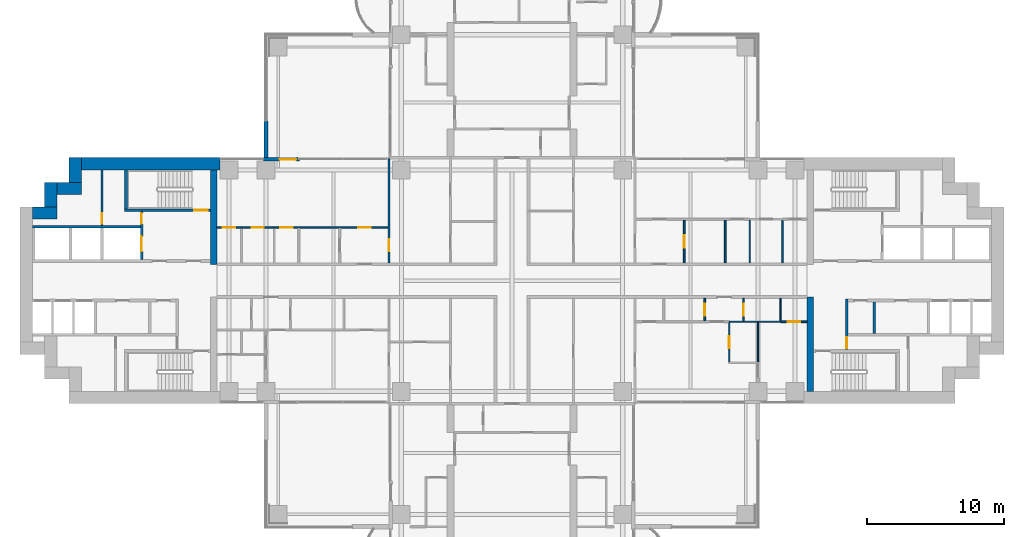
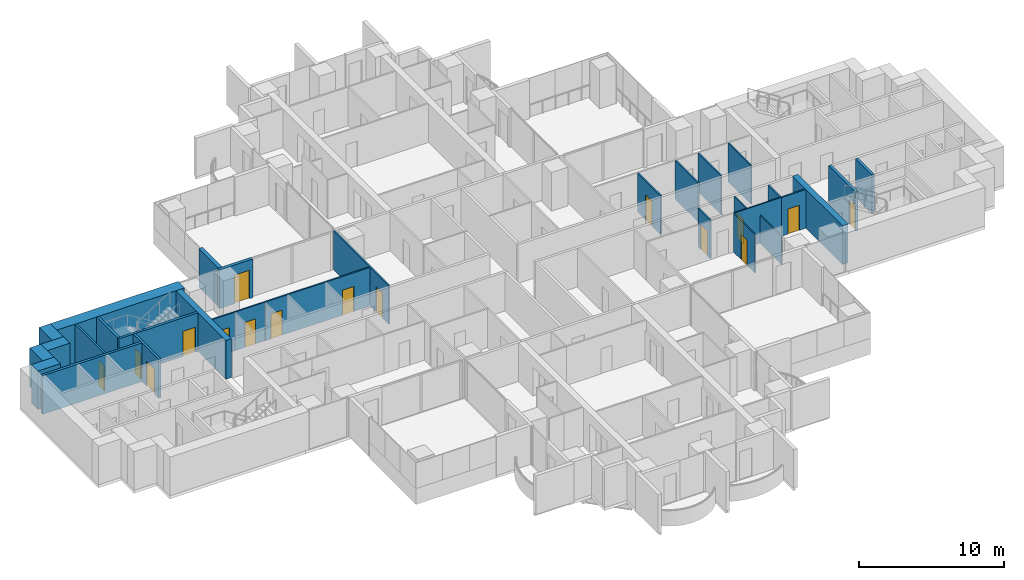
# One storey, part 13 of 21: 31 walls, 16 doors, 16 openings.
"""IFC4 building model written with IfcOpenShell, lengths in metres."""

from ifc_helpers import new_model, si_unit, direction, frame, frame_2d, origin, place, context, subcontext, project, spatial, rectangle, extrude, material, layer, layer_set, type_object, element, fill, save


model = new_model("IFC4")

# Units and contexts
model_context = context("Model", 3, precision=1e-05, world=origin(), true_north=direction((0.0, 1.0)))
body_context = subcontext(model_context, "Body", "Model", "MODEL_VIEW")
ifc_project = project(units=[si_unit("LENGTHUNIT", "METRE"), si_unit("AREAUNIT", "SQUARE_METRE"), si_unit("VOLUMEUNIT", "CUBIC_METRE"), si_unit("PLANEANGLEUNIT", "RADIAN"), si_unit("MASSUNIT", "GRAM", prefix="KILO")], contexts=[model_context])

# Site, building, storey
site_placement = place(None, origin())
site = spatial("IfcSite", under=ifc_project, at=site_placement, CompositionType="ELEMENT")
building_placement = place(site_placement, origin())
building = spatial("IfcBuilding", under=site, at=building_placement, Name="Perihelion Cross Residences", CompositionType="ELEMENT")
storey_placement = place(building_placement, frame((0.0, 0.0, 64.5)))
storey = spatial("IfcBuildingStorey", under=building, at=storey_placement, Name="L13", CompositionType="ELEMENT", Elevation=64.5)

# Wall, opening, door
ifc_material_1 = material(Name="Concrete C30/37, bronze-clad", Category="concrete")
ifc_layer_1 = layer(ifc_material_1, 0.25)
ifc_layer_set_1 = layer_set([ifc_layer_1], Name="Bronze-clad pier wall 250")
wall_type_1 = type_object("IfcWallType", Name="Bronze-clad pier wall 250", PredefinedType="SOLIDWALL", material=ifc_layer_set_1)
wall_1_placement = place(storey_placement, frame((-15.550048828125, 8.875, 0.0), z_axis=(0.0, 0.0, 1.0), x_axis=(-1.0, 0.0, 0.0)))
wall_1 = element("IfcWall", 1, at=wall_1_placement, inside=storey, type_object=wall_type_1, Name="Wall FW1 L13 west side north bay 1 pier", PredefinedType="SOLIDWALL", context=body_context, shape_type="SweptSolid", body=[
    extrude(rectangle(XDim=2.64990234375, YDim=0.25, at=frame_2d((1.324951171875, 0.0))), origin(), (0.0, 0.0, 1.0), 3.25),
])
opening_1_placement = place(wall_1_placement, frame((0.25, 0.0, 0.0)))
opening_1 = element("IfcOpeningElement", 2, at=opening_1_placement, cuts=wall_1, Name="Opening L13.E08", PredefinedType="OPENING", context=body_context, shape_type="SweptSolid", body=[
    extrude(rectangle(XDim=1.199951171875, YDim=2.39990234375, at=frame_2d((0.60009765625, 1.199951171875))), frame((0.0, 0.135009765625, 0.0), z_axis=(0.0, -1.0, 0.0), x_axis=(1.0, 0.0, 0.0)), (0.0, 0.0, 1.0), 0.27001953125),
])
ifc_material_2 = material(Name="Bronze anodised aluminium, glazed", Category="aluminium")
door_type_1 = type_object("IfcDoorType", Name="Balcony door 1200 x 2400", OperationType="NOTDEFINED", PredefinedType="DOOR", material=ifc_material_2)
door_1_placement = place(opening_1_placement, origin())
door_1 = element("IfcDoor", 3, at=door_1_placement, inside=storey, type_object=door_type_1, Name="Door L13.E08 west side north bay 1", OperationType="SINGLE_SWING_LEFT", OverallHeight=2.39990234375, OverallWidth=1.199951171875, PredefinedType="DOOR", context=body_context, shape_type="SweptSolid", body=[
    extrude(rectangle(XDim=1.199951171875, YDim=2.39990234375, at=frame_2d((0.60009765625, 1.199951171875))), frame((0.0, 0.02490234375, 0.0), z_axis=(0.0, -1.0, 0.0), x_axis=(1.0, 0.0, 0.0)), (0.0, 0.0, 1.0), 0.050048828125),
])
fill(opening_1, door_1)

# Walls
ifc_material_3 = material(Name="Concrete C60/75", Category="concrete")
ifc_layer_2 = layer(ifc_material_3, 0.449951171875)
ifc_layer_set_2 = layer_set([ifc_layer_2], Name="Core wall, inner 450")
wall_type_2 = type_object("IfcWallType", Name="Core wall, inner 450", PredefinedType="SHEAR", material=ifc_layer_set_2)
for number, where, z_axis, x_axis, name in (
    (4, (21.824951171875, -8.10009765625, 0.0), (0.0, 0.0, 1.0), (0.0, 1.0, 0.0), "East core core wall, inner"),
    (5, (-21.824951171875, 1.199951171875, 0.0), (0.0, 0.0, 1.0), (0.0, 1.0, 0.0), "West core core wall, inner"),
):
    element("IfcWall", number, at=place(storey_placement, frame(where, z_axis=z_axis, x_axis=x_axis)), inside=storey, type_object=wall_type_2, Name=name, PredefinedType="SHEAR", context=body_context, shape_type="SweptSolid", body=[
        extrude(rectangle(XDim=6.900146484375, YDim=0.449951171875, at=frame_2d((3.4501953125, 0.0))), origin(), (0.0, 0.0, 1.0), 3.25),
    ])
ifc_material_4 = material(Name="Concrete C60/75", Category="concrete")
ifc_layer_3 = layer(ifc_material_4, 0.89990234375)
ifc_layer_set_3 = layer_set([ifc_layer_3], Name="Core wall, outer 900")
wall_type_3 = type_object("IfcWallType", Name="Core wall, outer 900", PredefinedType="SHEAR", material=ifc_layer_set_3)
for number, where, z_axis, x_axis, name in (
    (6, (-35.10009765625, 4.949951171875, 0.0), (0.0, 0.0, 1.0), (1.0, 0.0, 0.0), "West core core wall, outer"),
    (7, (-33.75, 5.39990234375, 0.0), (0.0, 0.0, 1.0), (0.0, 1.0, 0.0), "West core core wall, outer"),
    (8, (-33.300048828125, 6.75, 0.0), (0.0, 0.0, 1.0), (1.0, 0.0, 0.0), "West core core wall, outer"),
    (9, (-31.949951171875, 7.199951171875, 0.0), (0.0, 0.0, 1.0), (0.0, 1.0, 0.0), "West core core wall, outer"),
):
    element("IfcWall", number, at=place(storey_placement, frame(where, z_axis=z_axis, x_axis=x_axis)), inside=storey, type_object=wall_type_3, Name=name, PredefinedType="SHEAR", context=body_context, shape_type="SweptSolid", body=[
        extrude(rectangle(XDim=1.800048828125, YDim=0.89990234375, at=frame_2d((0.89990234375, 0.0))), origin(), (0.0, 0.0, 1.0), 3.25),
    ])
wall_2_placement = place(storey_placement, frame((-31.5, 8.550048828125, 0.0), z_axis=(0.0, 0.0, 1.0), x_axis=(1.0, 0.0, 0.0)))
element("IfcWall", 10, at=wall_2_placement, inside=storey, type_object=wall_type_3, Name="West core core wall, outer", PredefinedType="SHEAR", context=body_context, shape_type="SweptSolid", body=[
    extrude(rectangle(XDim=10.14990234375, YDim=0.89990234375, at=frame_2d((5.074951171875, 0.0))), origin(), (0.0, 0.0, 1.0), 3.25),
])

# Wall, opening, door
ifc_material_5 = material(Name="Concrete C50/60", Category="concrete")
ifc_layer_4 = layer(ifc_material_5, 0.199951171875)
ifc_layer_set_4 = layer_set([ifc_layer_4], Name="Lobby wall 200")
wall_type_4 = type_object("IfcWallType", Name="Lobby wall 200", PredefinedType="SOLIDWALL", material=ifc_layer_set_4)
wall_3_placement = place(storey_placement, frame((24.5, -5.050048828125, 0.0), z_axis=(0.0, 0.0, 1.0), x_axis=(0.0, 1.0, 0.0)))
wall_3 = element("IfcWall", 11, at=wall_3_placement, inside=storey, type_object=wall_type_4, Name="East core lobby wall", PredefinedType="SOLIDWALL", context=body_context, shape_type="SweptSolid", body=[
    extrude(rectangle(XDim=3.699951171875, YDim=0.199951171875, at=frame_2d((1.85009765625, 0.0))), origin(), (0.0, 0.0, 1.0), 3.25),
])
opening_2_placement = place(wall_3_placement, frame((0.10009765625, 0.0, 0.0)))
opening_2 = element("IfcOpeningElement", 12, at=opening_2_placement, cuts=wall_3, Name="Opening L13.C08", PredefinedType="OPENING", context=body_context, shape_type="SweptSolid", body=[
    extrude(rectangle(XDim=0.800048828125, YDim=2.10009765625, at=frame_2d((0.39990234375, 1.050048828125))), frame((0.0, 0.10986328125, 0.0), z_axis=(0.0, -1.0, 0.0), x_axis=(1.0, 0.0, 0.0)), (0.0, 0.0, 1.0), 0.219970703125),
])
ifc_material_6 = material(Name="Steel, powder coated", Category="steel")
door_type_2 = type_object("IfcDoorType", Name="Riser door 800", OperationType="SINGLE_SWING_LEFT", PredefinedType="DOOR", material=ifc_material_6)
door_2_placement = place(opening_2_placement, origin())
door_2 = element("IfcDoor", 13, at=door_2_placement, inside=storey, type_object=door_type_2, Name="East core riser door", OperationType="SINGLE_SWING_LEFT", OverallHeight=2.10009765625, OverallWidth=0.800048828125, PredefinedType="DOOR", context=body_context, shape_type="SweptSolid", body=[
    extrude(rectangle(XDim=0.800048828125, YDim=2.10009765625, at=frame_2d((0.39990234375, 1.050048828125))), frame((0.0, 0.02490234375, 0.0), z_axis=(0.0, -1.0, 0.0), x_axis=(1.0, 0.0, 0.0)), (0.0, 0.0, 1.0), 0.050048828125),
])
fill(opening_2, door_2)

ifc_material_7 = material(Name="Plasterboard partition")
ifc_layer_5 = layer(ifc_material_7, 0.1201171875)
ifc_layer_set_5 = layer_set([ifc_layer_5], Name="Partition wall 120")
wall_type_5 = type_object("IfcWallType", Name="Partition wall 120", PredefinedType="PARTITIONING", material=ifc_layer_set_5)
wall_4_placement = place(storey_placement, frame((12.60009765625, 4.43994140625, 0.0), z_axis=(0.0, 0.0, 1.0), x_axis=(0.0, -1.0, 0.0)))
wall_4 = element("IfcWall", 14, at=wall_4_placement, inside=storey, type_object=wall_type_5, Name="Partition L13 W011", PredefinedType="PARTITIONING", context=body_context, shape_type="SweptSolid", body=[
    extrude(rectangle(XDim=3.139892578125, YDim=0.1201171875, at=frame_2d((1.56982421875, 0.0))), origin(), (0.0, 0.0, 1.0), 3.25),
])
opening_3_placement = place(wall_4_placement, frame((1.1201171875, 0.0, 0.0)))
opening_3 = element("IfcOpeningElement", 15, at=opening_3_placement, cuts=wall_4, Name="Opening L13.A05", PredefinedType="OPENING", context=body_context, shape_type="SweptSolid", body=[
    extrude(rectangle(XDim=0.89990234375, YDim=2.10009765625, at=frame_2d((0.449951171875, 1.050048828125))), frame((0.0, 0.070068359375, 0.0), z_axis=(0.0, -1.0, 0.0), x_axis=(1.0, 0.0, 0.0)), (0.0, 0.0, 1.0), 0.14013671875),
])
ifc_material_8 = material(Name="Timber door leaf", Category="wood")
door_type_3 = type_object("IfcDoorType", Name="Interior room door 900 x 2100", OperationType="SINGLE_SWING_LEFT", PredefinedType="DOOR", material=ifc_material_8)
door_3_placement = place(opening_3_placement, origin())
door_3 = element("IfcDoor", 16, at=door_3_placement, inside=storey, type_object=door_type_3, Name="Door L13.A05", OperationType="SINGLE_SWING_LEFT", OverallHeight=2.10009765625, OverallWidth=0.89990234375, PredefinedType="DOOR", context=body_context, shape_type="SweptSolid", body=[
    extrude(rectangle(XDim=0.89990234375, YDim=2.10009765625, at=frame_2d((0.449951171875, 1.050048828125))), frame((0.0, 0.02490234375, 0.0), z_axis=(0.0, -1.0, 0.0), x_axis=(1.0, 0.0, 0.0)), (0.0, 0.0, 1.0), 0.050048828125),
])
fill(opening_3, door_3)

# Wall
wall_5_placement = place(storey_placement, frame((15.60009765625, 4.43994140625, 0.0), z_axis=(0.0, 0.0, 1.0), x_axis=(0.0, -1.0, 0.0)))
element("IfcWall", 17, at=wall_5_placement, inside=storey, type_object=wall_type_5, Name="Partition L13 W014", PredefinedType="PARTITIONING", context=body_context, shape_type="SweptSolid", body=[
    extrude(rectangle(XDim=3.139892578125, YDim=0.1201171875, at=frame_2d((1.56982421875, 0.0))), origin(), (0.0, 0.0, 1.0), 3.25),
])

# Wall, opening, door
wall_6_placement = place(storey_placement, frame((14.10009765625, -1.300048828125, 0.0), z_axis=(0.0, 0.0, 1.0), x_axis=(0.0, -1.0, 0.0)))
wall_6 = element("IfcWall", 18, at=wall_6_placement, inside=storey, type_object=wall_type_5, Name="Partition L13 W025", PredefinedType="PARTITIONING", context=body_context, shape_type="SweptSolid", body=[
    extrude(rectangle(XDim=1.639892578125, YDim=0.1201171875, at=frame_2d((0.81982421875, 0.0))), origin(), (0.0, 0.0, 1.0), 3.25),
])
opening_4_placement = place(wall_6_placement, frame((0.3701171875, 0.0, 0.0)))
opening_4 = element("IfcOpeningElement", 19, at=opening_4_placement, cuts=wall_6, Name="Opening L13.A11", PredefinedType="OPENING", context=body_context, shape_type="SweptSolid", body=[
    extrude(rectangle(XDim=0.89990234375, YDim=2.10009765625, at=frame_2d((0.449951171875, 1.050048828125))), frame((0.0, 0.070068359375, 0.0), z_axis=(0.0, -1.0, 0.0), x_axis=(1.0, 0.0, 0.0)), (0.0, 0.0, 1.0), 0.14013671875),
])
door_4_placement = place(opening_4_placement, origin())
door_4 = element("IfcDoor", 20, at=door_4_placement, inside=storey, type_object=door_type_3, Name="Door L13.A11", OperationType="SINGLE_SWING_RIGHT", OverallHeight=2.10009765625, OverallWidth=0.89990234375, PredefinedType="DOOR", context=body_context, shape_type="SweptSolid", body=[
    extrude(rectangle(XDim=0.89990234375, YDim=2.10009765625, at=frame_2d((0.449951171875, 1.050048828125))), frame((0.0, 0.02490234375, 0.0), z_axis=(0.0, -1.0, 0.0), x_axis=(1.0, 0.0, 0.0)), (0.0, 0.0, 1.0), 0.050048828125),
])
fill(opening_4, door_4)

wall_7_placement = place(storey_placement, frame((21.60009765625, -3.0, 0.0), z_axis=(0.0, 0.0, 1.0), x_axis=(-1.0, 0.0, 0.0)))
wall_7 = element("IfcWall", 21, at=wall_7_placement, inside=storey, type_object=wall_type_5, Name="Partition L13 W029", PredefinedType="PARTITIONING", context=body_context, shape_type="SweptSolid", body=[
    extrude(rectangle(XDim=1.9501953125, YDim=0.1201171875, at=frame_2d((0.97509765625, 0.0))), origin(), (0.0, 0.0, 1.0), 3.25),
])
opening_5_placement = place(wall_7_placement, frame((0.52490234375, 0.0, 0.0)))
opening_5 = element("IfcOpeningElement", 22, at=opening_5_placement, cuts=wall_7, Name="Opening L13.A17", PredefinedType="OPENING", context=body_context, shape_type="SweptSolid", body=[
    extrude(rectangle(XDim=0.89990234375, YDim=2.10009765625, at=frame_2d((0.449951171875, 1.050048828125))), frame((0.0, 0.070068359375, 0.0), z_axis=(0.0, -1.0, 0.0), x_axis=(1.0, 0.0, 0.0)), (0.0, 0.0, 1.0), 0.14013671875),
])
door_5_placement = place(opening_5_placement, origin())
door_5 = element("IfcDoor", 23, at=door_5_placement, inside=storey, type_object=door_type_3, Name="Door L13.A17", OperationType="SINGLE_SWING_RIGHT", OverallHeight=2.10009765625, OverallWidth=0.89990234375, PredefinedType="DOOR", context=body_context, shape_type="SweptSolid", body=[
    extrude(rectangle(XDim=0.89990234375, YDim=2.10009765625, at=frame_2d((0.449951171875, 1.050048828125))), frame((0.0, 0.02490234375, 0.0), z_axis=(0.0, -1.0, 0.0), x_axis=(1.0, 0.0, 0.0)), (0.0, 0.0, 1.0), 0.050048828125),
])
fill(opening_5, door_5)

# Wall, openings, doors
wall_8_placement = place(storey_placement, frame((-17.39990234375, 3.89990234375, 0.0), z_axis=(0.0, 0.0, 1.0), x_axis=(1.0, 0.0, 0.0)))
wall_8 = element("IfcWall", 24, at=wall_8_placement, inside=storey, type_object=wall_type_5, Name="Partition L13 W036", PredefinedType="PARTITIONING", context=body_context, shape_type="SweptSolid", body=[
    extrude(rectangle(XDim=8.4599609375, YDim=0.1201171875, at=frame_2d((4.22998046875, 0.0))), origin(), (0.0, 0.0, 1.0), 3.25),
])
opening_6_placement = place(wall_8_placement, frame((0.449951171875, 0.0, 0.0)))
opening_6 = element("IfcOpeningElement", 25, at=opening_6_placement, cuts=wall_8, Name="Opening L13.A21", PredefinedType="OPENING", context=body_context, shape_type="SweptSolid", body=[
    extrude(rectangle(XDim=0.89990234375, YDim=2.10009765625, at=frame_2d((0.449951171875, 1.050048828125))), frame((0.0, 0.070068359375, 0.0), z_axis=(0.0, -1.0, 0.0), x_axis=(1.0, 0.0, 0.0)), (0.0, 0.0, 1.0), 0.14013671875),
])
opening_7_placement = place(wall_8_placement, frame((6.14990234375, 0.0, 0.0)))
opening_7 = element("IfcOpeningElement", 26, at=opening_7_placement, cuts=wall_8, Name="Opening L13.A25", PredefinedType="OPENING", context=body_context, shape_type="SweptSolid", body=[
    extrude(rectangle(XDim=0.89990234375, YDim=2.10009765625, at=frame_2d((0.449951171875, 1.050048828125))), frame((0.0, 0.070068359375, 0.0), z_axis=(0.0, -1.0, 0.0), x_axis=(1.0, 0.0, 0.0)), (0.0, 0.0, 1.0), 0.14013671875),
])
door_6_placement = place(opening_6_placement, origin())
door_6 = element("IfcDoor", 27, at=door_6_placement, inside=storey, type_object=door_type_3, Name="Door L13.A21", OperationType="SINGLE_SWING_LEFT", OverallHeight=2.10009765625, OverallWidth=0.89990234375, PredefinedType="DOOR", context=body_context, shape_type="SweptSolid", body=[
    extrude(rectangle(XDim=0.89990234375, YDim=2.10009765625, at=frame_2d((0.449951171875, 1.050048828125))), frame((0.0, 0.02490234375, 0.0), z_axis=(0.0, -1.0, 0.0), x_axis=(1.0, 0.0, 0.0)), (0.0, 0.0, 1.0), 0.050048828125),
])
fill(opening_6, door_6)
door_7_placement = place(opening_7_placement, origin())
door_7 = element("IfcDoor", 28, at=door_7_placement, inside=storey, type_object=door_type_3, Name="Door L13.A25", OperationType="SINGLE_SWING_LEFT", OverallHeight=2.10009765625, OverallWidth=0.89990234375, PredefinedType="DOOR", context=body_context, shape_type="SweptSolid", body=[
    extrude(rectangle(XDim=0.89990234375, YDim=2.10009765625, at=frame_2d((0.449951171875, 1.050048828125))), frame((0.0, 0.02490234375, 0.0), z_axis=(0.0, -1.0, 0.0), x_axis=(1.0, 0.0, 0.0)), (0.0, 0.0, 1.0), 0.050048828125),
])
fill(opening_7, door_7)

# Wall, opening, door
wall_9_placement = place(storey_placement, frame((-9.0, 8.919921875, 0.0), z_axis=(0.0, 0.0, 1.0), x_axis=(0.0, -1.0, 0.0)))
wall_9 = element("IfcWall", 29, at=wall_9_placement, inside=storey, type_object=wall_type_5, Name="Partition L13 W037", PredefinedType="PARTITIONING", context=body_context, shape_type="SweptSolid", body=[
    extrude(rectangle(XDim=7.619873046875, YDim=0.1201171875, at=frame_2d((3.81005859375, 0.0))), origin(), (0.0, 0.0, 1.0), 3.25),
])
opening_8_placement = place(wall_9_placement, frame((5.8701171875, 0.0, 0.0)))
opening_8 = element("IfcOpeningElement", 30, at=opening_8_placement, cuts=wall_9, Name="Opening L13.A22", PredefinedType="OPENING", context=body_context, shape_type="SweptSolid", body=[
    extrude(rectangle(XDim=0.89990234375, YDim=2.10009765625, at=frame_2d((0.449951171875, 1.050048828125))), frame((0.0, 0.070068359375, 0.0), z_axis=(0.0, -1.0, 0.0), x_axis=(1.0, 0.0, 0.0)), (0.0, 0.0, 1.0), 0.14013671875),
])
door_8_placement = place(opening_8_placement, origin())
door_8 = element("IfcDoor", 31, at=door_8_placement, inside=storey, type_object=door_type_3, Name="Door L13.A22", OperationType="SINGLE_SWING_RIGHT", OverallHeight=2.10009765625, OverallWidth=0.89990234375, PredefinedType="DOOR", context=body_context, shape_type="SweptSolid", body=[
    extrude(rectangle(XDim=0.89990234375, YDim=2.10009765625, at=frame_2d((0.449951171875, 1.050048828125))), frame((0.0, 0.02490234375, 0.0), z_axis=(0.0, -1.0, 0.0), x_axis=(1.0, 0.0, 0.0)), (0.0, 0.0, 1.0), 0.050048828125),
])
fill(opening_8, door_8)

wall_10_placement = place(storey_placement, frame((-21.60009765625, 3.89990234375, 0.0), z_axis=(0.0, 0.0, 1.0), x_axis=(1.0, 0.0, 0.0)))
wall_10 = element("IfcWall", 32, at=wall_10_placement, inside=storey, type_object=wall_type_5, Name="Partition L13 W042", PredefinedType="PARTITIONING", context=body_context, shape_type="SweptSolid", body=[
    extrude(rectangle(XDim=1.800048828125, YDim=0.1201171875, at=frame_2d((0.89990234375, 0.0))), origin(), (0.0, 0.0, 1.0), 3.25),
])
opening_9_placement = place(wall_10_placement, frame((0.449951171875, 0.0, 0.0)))
opening_9 = element("IfcOpeningElement", 33, at=opening_9_placement, cuts=wall_10, Name="Opening L13.A19", PredefinedType="OPENING", context=body_context, shape_type="SweptSolid", body=[
    extrude(rectangle(XDim=0.89990234375, YDim=2.10009765625, at=frame_2d((0.449951171875, 1.050048828125))), frame((0.0, 0.070068359375, 0.0), z_axis=(0.0, -1.0, 0.0), x_axis=(1.0, 0.0, 0.0)), (0.0, 0.0, 1.0), 0.14013671875),
])
door_9_placement = place(opening_9_placement, origin())
door_9 = element("IfcDoor", 34, at=door_9_placement, inside=storey, type_object=door_type_3, Name="Door L13.A19", OperationType="SINGLE_SWING_RIGHT", OverallHeight=2.10009765625, OverallWidth=0.89990234375, PredefinedType="DOOR", context=body_context, shape_type="SweptSolid", body=[
    extrude(rectangle(XDim=0.89990234375, YDim=2.10009765625, at=frame_2d((0.449951171875, 1.050048828125))), frame((0.0, 0.02490234375, 0.0), z_axis=(0.0, -1.0, 0.0), x_axis=(1.0, 0.0, 0.0)), (0.0, 0.0, 1.0), 0.050048828125),
])
fill(opening_9, door_9)

# Wall
ifc_material_9 = material(Name="Precast concrete C50/60", Category="concrete")
ifc_layer_6 = layer(ifc_material_9, 0.300048828125)
ifc_layer_set_6 = layer_set([ifc_layer_6], Name="Precast concrete C50/60 blade wall 300")
wall_type_6 = type_object("IfcWallType", Name="Precast concrete C50/60 blade wall 300", PredefinedType="SOLIDWALL", material=ifc_layer_set_6)
wall_11_placement = place(storey_placement, frame((-18.0, 8.75, 0.0), z_axis=(0.0, 0.0, 1.0), x_axis=(0.0, 1.0, 0.0)))
element("IfcWall", 35, at=wall_11_placement, inside=storey, type_object=wall_type_6, Name="Wall BL1 L13 no. 2", PredefinedType="SOLIDWALL", context=body_context, shape_type="SweptSolid", body=[
    extrude(rectangle(XDim=2.949951171875, YDim=0.300048828125, at=frame_2d((1.47509765625, 0.0))), origin(), (0.0, 0.0, 1.0), 3.25),
])

# Wall, opening, door
ifc_material_10 = material(Name="Fire-rated board on steel stud", Category="steel")
ifc_layer_7 = layer(ifc_material_10, 0.14990234375)
ifc_layer_set_7 = layer_set([ifc_layer_7], Name="Riser wall 150")
wall_type_7 = type_object("IfcWallType", Name="Riser wall 150", PredefinedType="PARTITIONING", material=ifc_layer_set_7)
wall_12_placement = place(storey_placement, frame((-30.0, 4.050048828125, 0.0), z_axis=(0.0, 0.0, 1.0), x_axis=(0.0, 1.0, 0.0)))
wall_12 = element("IfcWall", 36, at=wall_12_placement, inside=storey, type_object=wall_type_7, Name="West core riser wall", PredefinedType="PARTITIONING", context=body_context, shape_type="SweptSolid", body=[
    extrude(rectangle(XDim=4.050048828125, YDim=0.14990234375, at=frame_2d((2.02490234375, 0.0))), origin(), (0.0, 0.0, 1.0), 3.25),
])
opening_10_placement = place(wall_12_placement, frame((0.10009765625, 0.0, 0.0)))
opening_10 = element("IfcOpeningElement", 37, at=opening_10_placement, cuts=wall_12, Name="Opening L13.C28", PredefinedType="OPENING", context=body_context, shape_type="SweptSolid", body=[
    extrude(rectangle(XDim=0.800048828125, YDim=2.10009765625, at=frame_2d((0.39990234375, 1.050048828125))), frame((0.0, 0.0849609375, 0.0), z_axis=(0.0, -1.0, 0.0), x_axis=(1.0, 0.0, 0.0)), (0.0, 0.0, 1.0), 0.169921875),
])
door_10_placement = place(opening_10_placement, origin())
door_10 = element("IfcDoor", 38, at=door_10_placement, inside=storey, type_object=door_type_2, Name="West core riser door", OperationType="SINGLE_SWING_LEFT", OverallHeight=2.10009765625, OverallWidth=0.800048828125, PredefinedType="DOOR", context=body_context, shape_type="SweptSolid", body=[
    extrude(rectangle(XDim=0.800048828125, YDim=2.10009765625, at=frame_2d((0.39990234375, 1.050048828125))), frame((0.0, 0.02490234375, 0.0), z_axis=(0.0, -1.0, 0.0), x_axis=(1.0, 0.0, 0.0)), (0.0, 0.0, 1.0), 0.050048828125),
])
fill(opening_10, door_10)

# Walls
ifc_material_11 = material(Name="Fire-rated board on steel stud", Category="steel")
ifc_layer_8 = layer(ifc_material_11, 0.199951171875)
ifc_layer_set_8 = layer_set([ifc_layer_8], Name="Riser wall 200")
wall_type_8 = type_object("IfcWallType", Name="Riser wall 200", PredefinedType="PARTITIONING", material=ifc_layer_set_8)
wall_13_placement = place(storey_placement, frame((26.5, -3.85009765625, 0.0), z_axis=(0.0, 0.0, 1.0), x_axis=(0.0, 1.0, 0.0)))
element("IfcWall", 39, at=wall_13_placement, inside=storey, type_object=wall_type_8, Name="East core riser wall", PredefinedType="PARTITIONING", context=body_context, shape_type="SweptSolid", body=[
    extrude(rectangle(XDim=2.300048828125, YDim=0.199951171875, at=frame_2d((1.14990234375, 0.0))), origin(), (0.0, 0.0, 1.0), 3.25),
])
ifc_material_12 = material(Name="Concrete C50/60", Category="concrete")
ifc_layer_9 = layer(ifc_material_12, 0.199951171875)
ifc_layer_set_9 = layer_set([ifc_layer_9], Name="Shaft wall 200")
wall_type_9 = type_object("IfcWallType", Name="Shaft wall 200", PredefinedType="SOLIDWALL", material=ifc_layer_set_9)
wall_14_placement = place(storey_placement, frame((-35.10009765625, 3.949951171875, 0.0), z_axis=(0.0, 0.0, 1.0), x_axis=(1.0, 0.0, 0.0)))
element("IfcWall", 40, at=wall_14_placement, inside=storey, type_object=wall_type_9, Name="West core shaft wall", PredefinedType="SOLIDWALL", context=body_context, shape_type="SweptSolid", body=[
    extrude(rectangle(XDim=7.900146484375, YDim=0.199951171875, at=frame_2d((3.9501953125, 0.0))), origin(), (0.0, 0.0, 1.0), 3.25),
])

# Wall, openings, doors
wall_15_placement = place(storey_placement, frame((-27.10009765625, 1.550048828125, 0.0), z_axis=(0.0, 0.0, 1.0), x_axis=(0.0, 1.0, 0.0)))
wall_15 = element("IfcWall", 41, at=wall_15_placement, inside=storey, type_object=wall_type_9, Name="West core shaft wall", PredefinedType="SOLIDWALL", context=body_context, shape_type="SweptSolid", body=[
    extrude(rectangle(XDim=3.5, YDim=0.199951171875, at=frame_2d((1.75, 0.0))), origin(), (0.0, 0.0, 1.0), 3.25),
])
opening_11_placement = place(wall_15_placement, frame((0.60009765625, 0.0, 0.0)))
opening_11 = element("IfcOpeningElement", 42, at=opening_11_placement, cuts=wall_15, Name="Opening L13.C15", PredefinedType="OPENING", context=body_context, shape_type="SweptSolid", body=[
    extrude(rectangle(XDim=1.10009765625, YDim=2.10009765625, at=frame_2d((0.550048828125, 1.050048828125))), frame((0.0, 0.10986328125, 0.0), z_axis=(0.0, -1.0, 0.0), x_axis=(1.0, 0.0, 0.0)), (0.0, 0.0, 1.0), 0.219970703125),
])
opening_12_placement = place(wall_15_placement, frame((2.60009765625, 0.0, 0.0)))
opening_12 = element("IfcOpeningElement", 43, at=opening_12_placement, cuts=wall_15, Name="Opening L13.C25", PredefinedType="OPENING", context=body_context, shape_type="SweptSolid", body=[
    extrude(rectangle(XDim=0.800048828125, YDim=2.10009765625, at=frame_2d((0.39990234375, 1.050048828125))), frame((0.0, 0.10986328125, 0.0), z_axis=(0.0, -1.0, 0.0), x_axis=(1.0, 0.0, 0.0)), (0.0, 0.0, 1.0), 0.219970703125),
])
ifc_material_13 = material(Name="Stainless steel", Category="steel")
door_type_4 = type_object("IfcDoorType", Name="Landing door, firefighting lift 1100", OperationType="DOUBLE_DOOR_SLIDING", PredefinedType="DOOR", material=ifc_material_13)
door_11_placement = place(opening_11_placement, origin())
door_11 = element("IfcDoor", 44, at=door_11_placement, inside=storey, type_object=door_type_4, Name="Landing door, West core firefighting and service lift", OperationType="DOUBLE_DOOR_SLIDING", OverallHeight=2.10009765625, OverallWidth=1.10009765625, PredefinedType="DOOR", context=body_context, shape_type="SweptSolid", body=[
    extrude(rectangle(XDim=1.10009765625, YDim=2.10009765625, at=frame_2d((0.550048828125, 1.050048828125))), frame((0.0, 0.02490234375, 0.0), z_axis=(0.0, -1.0, 0.0), x_axis=(1.0, 0.0, 0.0)), (0.0, 0.0, 1.0), 0.050048828125),
])
fill(opening_11, door_11)
door_12_placement = place(opening_12_placement, origin())
door_12 = element("IfcDoor", 45, at=door_12_placement, inside=storey, type_object=door_type_2, Name="West core riser door", OperationType="SINGLE_SWING_LEFT", OverallHeight=2.10009765625, OverallWidth=0.800048828125, PredefinedType="DOOR", context=body_context, shape_type="SweptSolid", body=[
    extrude(rectangle(XDim=0.800048828125, YDim=2.10009765625, at=frame_2d((0.39990234375, 1.050048828125))), frame((0.0, 0.02490234375, 0.0), z_axis=(0.0, -1.0, 0.0), x_axis=(1.0, 0.0, 0.0)), (0.0, 0.0, 1.0), 0.050048828125),
])
fill(opening_12, door_12)

# Wall, opening, door
ifc_material_14 = material(Name="Concrete C50/60", Category="concrete")
ifc_layer_10 = layer(ifc_material_14, 0.199951171875)
ifc_layer_set_10 = layer_set([ifc_layer_10], Name="Stair wall 200")
wall_type_10 = type_object("IfcWallType", Name="Stair wall 200", PredefinedType="SOLIDWALL", material=ifc_layer_set_10)
wall_16_placement = place(storey_placement, frame((-28.35009765625, 5.14990234375, 0.0), z_axis=(0.0, 0.0, 1.0), x_axis=(1.0, 0.0, 0.0)))
wall_16 = element("IfcWall", 46, at=wall_16_placement, inside=storey, type_object=wall_type_10, Name="West core stair wall", PredefinedType="SOLIDWALL", context=body_context, shape_type="SweptSolid", body=[
    extrude(rectangle(XDim=6.300048828125, YDim=0.199951171875, at=frame_2d((3.14990234375, 0.0))), origin(), (0.0, 0.0, 1.0), 3.25),
])
opening_13_placement = place(wall_16_placement, frame((5.10009765625, 0.0, 0.0)))
opening_13 = element("IfcOpeningElement", 47, at=opening_13_placement, cuts=wall_16, Name="Opening L13.C20", PredefinedType="OPENING", context=body_context, shape_type="SweptSolid", body=[
    extrude(rectangle(XDim=1.0, YDim=2.10009765625, at=frame_2d((0.5, 1.050048828125))), frame((0.0, 0.10986328125, 0.0), z_axis=(0.0, -1.0, 0.0), x_axis=(1.0, 0.0, 0.0)), (0.0, 0.0, 1.0), 0.219970703125),
])
ifc_material_15 = material(Name="Steel, powder coated", Category="steel")
door_type_5 = type_object("IfcDoorType", Name="Stair door 1000", OperationType="SINGLE_SWING_LEFT", PredefinedType="DOOR", material=ifc_material_15)
door_13_placement = place(opening_13_placement, origin())
door_13 = element("IfcDoor", 48, at=door_13_placement, inside=storey, type_object=door_type_5, Name="West core stair door", OperationType="SINGLE_SWING_LEFT", OverallHeight=2.10009765625, OverallWidth=1.0, PredefinedType="DOOR", context=body_context, shape_type="SweptSolid", body=[
    extrude(rectangle(XDim=1.0, YDim=2.10009765625, at=frame_2d((0.5, 1.050048828125))), frame((0.0, 0.02490234375, 0.0), z_axis=(0.0, -1.0, 0.0), x_axis=(1.0, 0.0, 0.0)), (0.0, 0.0, 1.0), 0.050048828125),
])
fill(opening_13, door_13)

# Walls
wall_17_placement = place(storey_placement, frame((-28.25, 5.25, 0.0), z_axis=(0.0, 0.0, 1.0), x_axis=(0.0, 1.0, 0.0)))
element("IfcWall", 49, at=wall_17_placement, inside=storey, type_object=wall_type_10, Name="West core stair wall", PredefinedType="SOLIDWALL", context=body_context, shape_type="SweptSolid", body=[
    extrude(rectangle(XDim=2.85009765625, YDim=0.199951171875, at=frame_2d((1.425048828125, 0.0))), origin(), (0.0, 0.0, 1.0), 3.25),
])
ifc_material_16 = material(Name="Plasterboard partition")
ifc_layer_11 = layer(ifc_material_16, 0.10009765625)
ifc_layer_set_11 = layer_set([ifc_layer_11], Name="Wet room wall 100")
wall_type_11 = type_object("IfcWallType", Name="Wet room wall 100", PredefinedType="PARTITIONING", material=ifc_layer_set_11)
for number, where, z_axis, x_axis, name in (
    (50, (17.39990234375, 4.43994140625, 0.0), (0.0, 0.0, 1.0), (0.0, -1.0, 0.0), "Partition L13 W015"),
    (51, (19.800048828125, 4.43994140625, 0.0), (0.0, 0.0, 1.0), (0.0, -1.0, 0.0), "Partition L13 W016"),
):
    element("IfcWall", number, at=place(storey_placement, frame(where, z_axis=z_axis, x_axis=x_axis)), inside=storey, type_object=wall_type_11, Name=name, PredefinedType="PARTITIONING", context=body_context, shape_type="SweptSolid", body=[
        extrude(rectangle(XDim=3.139892578125, YDim=0.10009765625, at=frame_2d((1.56982421875, 0.0))), origin(), (0.0, 0.0, 1.0), 3.25),
    ])

# Wall, opening, door
wall_18_placement = place(storey_placement, frame((16.949951171875, -1.300048828125, 0.0), z_axis=(0.0, 0.0, 1.0), x_axis=(0.0, -1.0, 0.0)))
wall_18 = element("IfcWall", 52, at=wall_18_placement, inside=storey, type_object=wall_type_11, Name="Partition L13 W026", PredefinedType="PARTITIONING", context=body_context, shape_type="SweptSolid", body=[
    extrude(rectangle(XDim=1.64990234375, YDim=0.10009765625, at=frame_2d((0.824951171875, 0.0))), origin(), (0.0, 0.0, 1.0), 3.25),
])
opening_14_placement = place(wall_18_placement, frame((0.39990234375, 0.0, 0.0)))
opening_14 = element("IfcOpeningElement", 53, at=opening_14_placement, cuts=wall_18, Name="Opening L13.A09", PredefinedType="OPENING", context=body_context, shape_type="SweptSolid", body=[
    extrude(rectangle(XDim=0.85009765625, YDim=2.10009765625, at=frame_2d((0.425048828125, 1.050048828125))), frame((0.0, 0.06005859375, 0.0), z_axis=(0.0, -1.0, 0.0), x_axis=(1.0, 0.0, 0.0)), (0.0, 0.0, 1.0), 0.1201171875),
])
ifc_material_17 = material(Name="Timber door leaf", Category="wood")
door_type_6 = type_object("IfcDoorType", Name="Interior bathroom door 850 x 2100", OperationType="SINGLE_SWING_LEFT", PredefinedType="DOOR", material=ifc_material_17)
door_14_placement = place(opening_14_placement, origin())
door_14 = element("IfcDoor", 54, at=door_14_placement, inside=storey, type_object=door_type_6, Name="Door L13.A09", OperationType="SINGLE_SWING_RIGHT", OverallHeight=2.10009765625, OverallWidth=0.85009765625, PredefinedType="DOOR", context=body_context, shape_type="SweptSolid", body=[
    extrude(rectangle(XDim=0.85009765625, YDim=2.10009765625, at=frame_2d((0.425048828125, 1.050048828125))), frame((0.0, 0.02490234375, 0.0), z_axis=(0.0, -1.0, 0.0), x_axis=(1.0, 0.0, 0.0)), (0.0, 0.0, 1.0), 0.050048828125),
])
fill(opening_14, door_14)

# Walls
wall_19_placement = place(storey_placement, frame((19.64990234375, -3.0, 0.0), z_axis=(0.0, 0.0, 1.0), x_axis=(-1.0, 0.0, 0.0)))
element("IfcWall", 55, at=wall_19_placement, inside=storey, type_object=wall_type_11, Name="Partition L13 W027", PredefinedType="PARTITIONING", context=body_context, shape_type="SweptSolid", body=[
    extrude(rectangle(XDim=3.75, YDim=0.10009765625, at=frame_2d((1.875, 0.0))), origin(), (0.0, 0.0, 1.0), 3.25),
])
wall_20_placement = place(storey_placement, frame((19.64990234375, -1.300048828125, 0.0), z_axis=(0.0, 0.0, 1.0), x_axis=(0.0, -1.0, 0.0)))
element("IfcWall", 56, at=wall_20_placement, inside=storey, type_object=wall_type_11, Name="Partition L13 W028", PredefinedType="PARTITIONING", context=body_context, shape_type="SweptSolid", body=[
    extrude(rectangle(XDim=1.639892578125, YDim=0.10009765625, at=frame_2d((0.81982421875, 0.0))), origin(), (0.0, 0.0, 1.0), 3.25),
])

# Wall, opening, door
wall_21_placement = place(storey_placement, frame((15.89990234375, -3.06005859375, 0.0), z_axis=(0.0, 0.0, 1.0), x_axis=(0.0, -1.0, 0.0)))
wall_21 = element("IfcWall", 57, at=wall_21_placement, inside=storey, type_object=wall_type_11, Name="Partition L13 W030", PredefinedType="PARTITIONING", context=body_context, shape_type="SweptSolid", body=[
    extrude(rectangle(XDim=2.889892578125, YDim=0.10009765625, at=frame_2d((1.44482421875, 0.0))), origin(), (0.0, 0.0, 1.0), 3.25),
])
opening_15_placement = place(wall_21_placement, frame((1.02001953125, 0.0, 0.0)))
opening_15 = element("IfcOpeningElement", 58, at=opening_15_placement, cuts=wall_21, Name="Opening L13.A13", PredefinedType="OPENING", context=body_context, shape_type="SweptSolid", body=[
    extrude(rectangle(XDim=0.85009765625, YDim=2.10009765625, at=frame_2d((0.425048828125, 1.050048828125))), frame((0.0, 0.06005859375, 0.0), z_axis=(0.0, -1.0, 0.0), x_axis=(1.0, 0.0, 0.0)), (0.0, 0.0, 1.0), 0.1201171875),
])
door_15_placement = place(opening_15_placement, origin())
door_15 = element("IfcDoor", 59, at=door_15_placement, inside=storey, type_object=door_type_6, Name="Door L13.A13", OperationType="SINGLE_SWING_RIGHT", OverallHeight=2.10009765625, OverallWidth=0.85009765625, PredefinedType="DOOR", context=body_context, shape_type="SweptSolid", body=[
    extrude(rectangle(XDim=0.85009765625, YDim=2.10009765625, at=frame_2d((0.425048828125, 1.050048828125))), frame((0.0, 0.02490234375, 0.0), z_axis=(0.0, -1.0, 0.0), x_axis=(1.0, 0.0, 0.0)), (0.0, 0.0, 1.0), 0.050048828125),
])
fill(opening_15, door_15)

# Wall
wall_22_placement = place(storey_placement, frame((18.0, -3.050048828125, 0.0), z_axis=(0.0, 0.0, 1.0), x_axis=(0.0, -1.0, 0.0)))
element("IfcWall", 60, at=wall_22_placement, inside=storey, type_object=wall_type_11, Name="Partition L13 W033", PredefinedType="PARTITIONING", context=body_context, shape_type="SweptSolid", body=[
    extrude(rectangle(XDim=2.949951171875, YDim=0.10009765625, at=frame_2d((1.47509765625, 0.0))), origin(), (0.0, 0.0, 1.0), 2.345947265625),
])

# Wall, opening, door
wall_23_placement = place(storey_placement, frame((-19.800048828125, 3.89990234375, 0.0), z_axis=(0.0, 0.0, 1.0), x_axis=(1.0, 0.0, 0.0)))
wall_23 = element("IfcWall", 61, at=wall_23_placement, inside=storey, type_object=wall_type_11, Name="Partition L13 W041", PredefinedType="PARTITIONING", context=body_context, shape_type="SweptSolid", body=[
    extrude(rectangle(XDim=2.400146484375, YDim=0.10009765625, at=frame_2d((1.2001953125, 0.0))), origin(), (0.0, 0.0, 1.0), 3.25),
])
opening_16_placement = place(wall_23_placement, frame((0.77490234375, 0.0, 0.0)))
opening_16 = element("IfcOpeningElement", 62, at=opening_16_placement, cuts=wall_23, Name="Opening L13.A18", PredefinedType="OPENING", context=body_context, shape_type="SweptSolid", body=[
    extrude(rectangle(XDim=0.85009765625, YDim=2.10009765625, at=frame_2d((0.425048828125, 1.050048828125))), frame((0.0, 0.06005859375, 0.0), z_axis=(0.0, -1.0, 0.0), x_axis=(1.0, 0.0, 0.0)), (0.0, 0.0, 1.0), 0.1201171875),
])
door_16_placement = place(opening_16_placement, origin())
door_16 = element("IfcDoor", 63, at=door_16_placement, inside=storey, type_object=door_type_6, Name="Door L13.A18", OperationType="SINGLE_SWING_LEFT", OverallHeight=2.10009765625, OverallWidth=0.85009765625, PredefinedType="DOOR", context=body_context, shape_type="SweptSolid", body=[
    extrude(rectangle(XDim=0.85009765625, YDim=2.10009765625, at=frame_2d((0.425048828125, 1.050048828125))), frame((0.0, 0.02490234375, 0.0), z_axis=(0.0, -1.0, 0.0), x_axis=(1.0, 0.0, 0.0)), (0.0, 0.0, 1.0), 0.050048828125),
])
fill(opening_16, door_16)

save(model, "model.ifc")
